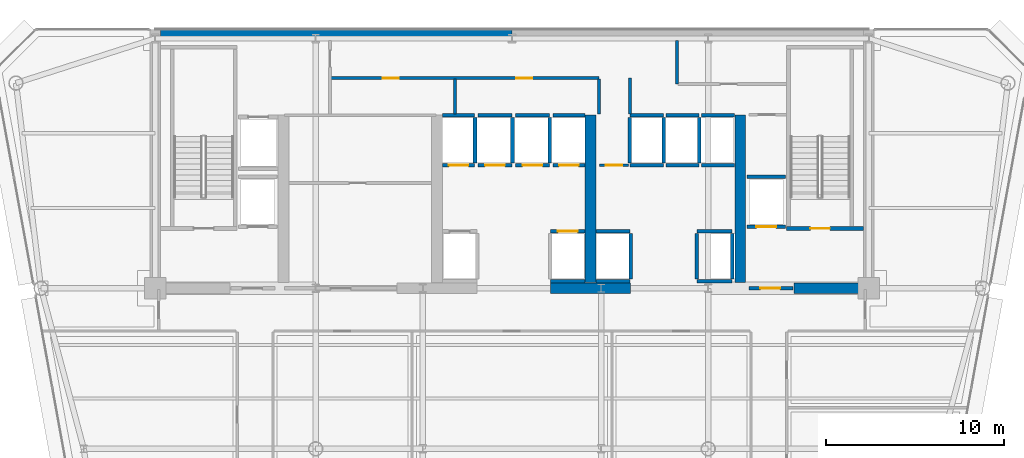
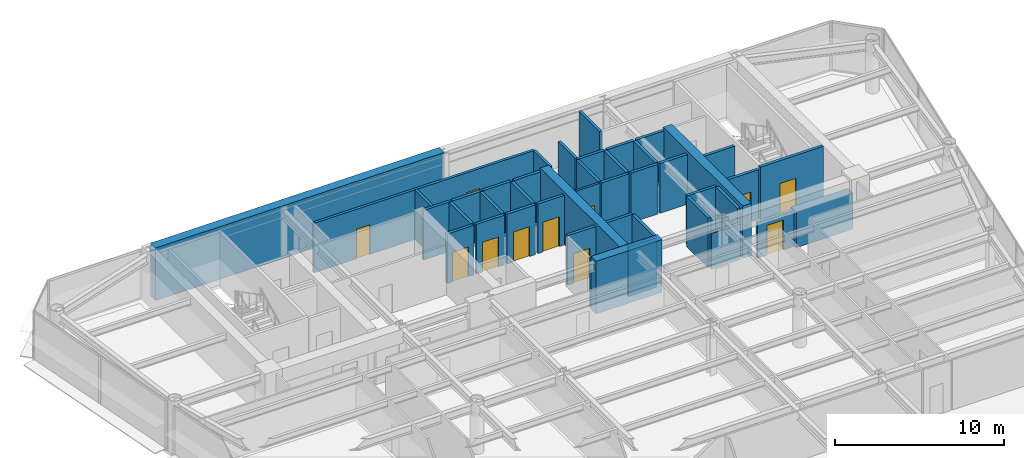
# One storey, part 12 of 17: 44 walls, 11 doors, 11 openings.
"""IFC4 building model written with IfcOpenShell, lengths in metres."""

from ifc_helpers import new_model, si_unit, direction, frame, frame_2d, origin, place, context, subcontext, project, spatial, rectangle, extrude, source, transform, mapped, material, layer, layer_set, type_object, element, fill, save


model = new_model("IFC4")

# Units and contexts
model_context = context("Model", 3, precision=1e-05, world=origin(), true_north=direction((0.0, 1.0)))
body_context = subcontext(model_context, "Body", "Model", "MODEL_VIEW")
ifc_project = project(units=[si_unit("LENGTHUNIT", "METRE"), si_unit("AREAUNIT", "SQUARE_METRE"), si_unit("VOLUMEUNIT", "CUBIC_METRE"), si_unit("PLANEANGLEUNIT", "RADIAN"), si_unit("MASSUNIT", "GRAM", prefix="KILO")], contexts=[model_context])

# Site, building, storey
site_placement = place(None, origin())
site = spatial("IfcSite", under=ifc_project, at=site_placement, CompositionType="ELEMENT")
building_placement = place(site_placement, origin())
building = spatial("IfcBuilding", under=site, at=building_placement, Name="Vaeldorn Concourse Tower", CompositionType="ELEMENT")
storey_placement = place(building_placement, frame((0.0, 0.0, 169.0)))
storey = spatial("IfcBuildingStorey", under=building, at=storey_placement, Name="L43", CompositionType="ELEMENT", Elevation=169.0)

# Walls
ifc_material_1 = material(Name="Concrete C50/60", Category="concrete")
ifc_layer_1 = layer(ifc_material_1, 0.60009765625)
ifc_layer_set_1 = layer_set([ifc_layer_1], Name="Concrete C50/60")
wall_type_1 = type_object("IfcWallType", Name="WL-CORE-600", PredefinedType="SHEAR", material=ifc_layer_set_1)
wall_1_placement = place(storey_placement, frame((14.303955078125, 50.699951171875, 0.0), z_axis=(0.0, 0.0, 1.0), x_axis=(1.0, 0.0, 0.0)))
element("IfcWall", 1, at=wall_1_placement, inside=storey, type_object=wall_type_1, Name="Rear Core Shear Wall L43 N1", PredefinedType="SHEAR", context=body_context, shape_type="SweptSolid", body=[
    extrude(rectangle(XDim=19.694091796875, YDim=0.60009765625, at=frame_2d((9.84716796875, 0.0))), origin(), (0.0, 0.0, 1.0), 3.800048828125),
])
wall_2_placement = place(storey_placement, frame((36.14990234375, 36.5, 0.0), z_axis=(0.0, 0.0, 1.0), x_axis=(1.0, 0.0, 0.0)))
element("IfcWall", 2, at=wall_2_placement, inside=storey, type_object=wall_type_1, Name="Rear Core Shear Wall L43 S3", PredefinedType="SHEAR", context=body_context, shape_type="SweptSolid", body=[
    extrude(rectangle(XDim=4.5, YDim=0.60009765625, at=frame_2d((2.25, 0.0))), origin(), (0.0, 0.0, 1.0), 3.800048828125),
])
wall_3_placement = place(storey_placement, frame((49.800048828125, 36.5, 0.0), z_axis=(0.0, 0.0, 1.0), x_axis=(1.0, 0.0, 0.0)))
element("IfcWall", 3, at=wall_3_placement, inside=storey, type_object=wall_type_1, Name="Rear Core Shear Wall L43 S4", PredefinedType="SHEAR", context=body_context, shape_type="SweptSolid", body=[
    extrude(rectangle(XDim=3.8798828125, YDim=0.60009765625, at=frame_2d((1.93994140625, 0.0))), origin(), (0.0, 0.0, 1.0), 2.580078125),
])
for number, where, z_axis, x_axis, name in (
    (4, (38.39990234375, 36.820068359375, 0.0), (0.0, 0.0, 1.0), (0.0, 1.0, 0.0), "Rear Core Shear Wall L43 M3"),
    (5, (46.800048828125, 36.820068359375, 0.0), (0.0, 0.0, 1.0), (0.0, 1.0, 0.0), "Rear Core Shear Wall L43 M4"),
):
    element("IfcWall", number, at=place(storey_placement, frame(where, z_axis=z_axis, x_axis=x_axis)), inside=storey, type_object=wall_type_1, Name=name, PredefinedType="SHEAR", context=body_context, shape_type="SweptSolid", body=[
        extrude(rectangle(XDim=9.3798828125, YDim=0.60009765625, at=frame_2d((4.68994140625, 0.0))), origin(), (0.0, 0.0, 1.0), 3.800048828125),
    ])

# Wall, opening, door
ifc_material_2 = material(Name="Gypsum Board Partition", Category="gypsum")
ifc_layer_2 = layer(ifc_material_2, 0.14990234375)
ifc_layer_set_2 = layer_set([ifc_layer_2], Name="Gypsum Board Partition")
wall_type_2 = type_object("IfcWallType", Name="WL-PART-150", PredefinedType="PARTITIONING", material=ifc_layer_set_2)
wall_4_placement = place(storey_placement, frame((38.919921875, 43.39990234375, 0.0), z_axis=(0.0, 0.0, 1.0), x_axis=(1.0, 0.0, 0.0)))
wall_4 = element("IfcWall", 6, at=wall_4_placement, inside=storey, type_object=wall_type_2, Name="Interior Wall CW-L43-CCLINK", PredefinedType="PARTITIONING", context=body_context, shape_type="SweptSolid", body=[
    extrude(rectangle(XDim=1.60009765625, YDim=0.14990234375, at=frame_2d((0.800048828125, 0.0))), origin(), (0.0, 0.0, 1.0), 3.580078125),
])
opening_1_placement = place(wall_4_placement, frame((0.35009765625, 0.0, 0.0)))
opening_1 = element("IfcOpeningElement", 7, at=opening_1_placement, cuts=wall_4, Name="Opening D-02", PredefinedType="OPENING", context=body_context, shape_type="SweptSolid", body=[
    extrude(rectangle(XDim=0.89990234375, YDim=2.10009765625, at=frame_2d((0.449951171875, 1.050048828125))), frame((0.0, 0.0849609375, 0.0), z_axis=(0.0, -1.0, 0.0), x_axis=(1.0, 0.0, 0.0)), (0.0, 0.0, 1.0), 0.169921875),
])
ifc_material_3 = material(Name="Fire-Rated Timber Leaf", Category="wood")
door_type_1 = type_object("IfcDoorType", Name="DR-FD30-900", OperationType="NOTDEFINED", PredefinedType="DOOR", material=ifc_material_3)
shared_shape_1 = source(origin(), body_context, "Body", "SweptSolid", [
    extrude(rectangle(XDim=0.89990234375, YDim=2.10009765625, at=frame_2d((0.449951171875, 1.050048828125))), frame((0.0, 0.02490234375, 0.0), z_axis=(0.0, -1.0, 0.0), x_axis=(1.0, 0.0, 0.0)), (0.0, 0.0, 1.0), 0.050048828125),
])
door_1_placement = place(opening_1_placement, origin())
door_1 = element("IfcDoor", 8, at=door_1_placement, inside=storey, type_object=door_type_1, Name="Interior Door DR-L43-CCLINK", OperationType="SINGLE_SWING_LEFT", OverallHeight=2.10009765625, OverallWidth=0.89990234375, PredefinedType="DOOR", context=body_context, shape_type="MappedRepresentation", body=[
    mapped(shared_shape_1, transform((0.0, 0.0, 0.0), scale=1.0)),
])
fill(opening_1, door_1)

# Wall, openings, doors
ifc_layer_3 = layer(ifc_material_2, 0.179931640625)
ifc_layer_set_3 = layer_set([ifc_layer_3], Name="Gypsum Board Partition")
wall_type_3 = type_object("IfcWallType", Name="WL-PLUMB-180", PredefinedType="PLUMBINGWALL", material=ifc_layer_set_3)
wall_5_placement = place(storey_placement, frame((23.85009765625, 48.280029296875, 0.0), z_axis=(0.0, 0.0, 1.0), x_axis=(1.0, 0.0, 0.0)))
wall_5 = element("IfcWall", 9, at=wall_5_placement, inside=storey, type_object=wall_type_3, Name="Interior Wall CW-L43-NS2W", PredefinedType="PLUMBINGWALL", context=body_context, shape_type="SweptSolid", body=[
    extrude(rectangle(XDim=15.02978515625, YDim=0.179931640625, at=frame_2d((7.514892578125, 0.0))), origin(), (0.0, 0.0, 1.0), 3.580078125),
])
opening_2_placement = place(wall_5_placement, frame((2.89990234375, 0.0, 0.0)))
opening_2 = element("IfcOpeningElement", 10, at=opening_2_placement, cuts=wall_5, Name="Opening D-03", PredefinedType="OPENING", context=body_context, shape_type="SweptSolid", body=[
    extrude(rectangle(XDim=0.89990234375, YDim=2.14990234375, at=frame_2d((0.449951171875, 1.074951171875))), frame((0.0, 0.10009765625, 0.0), z_axis=(0.0, -1.0, 0.0), x_axis=(1.0, 0.0, 0.0)), (0.0, 0.0, 1.0), 0.199951171875),
])
opening_3_placement = place(wall_5_placement, frame((10.39990234375, 0.0, 0.0)))
opening_3 = element("IfcOpeningElement", 11, at=opening_3_placement, cuts=wall_5, Name="Opening D-03", PredefinedType="OPENING", context=body_context, shape_type="SweptSolid", body=[
    extrude(rectangle(XDim=0.89990234375, YDim=2.14990234375, at=frame_2d((0.449951171875, 1.074951171875))), frame((0.0, 0.10009765625, 0.0), z_axis=(0.0, -1.0, 0.0), x_axis=(1.0, 0.0, 0.0)), (0.0, 0.0, 1.0), 0.199951171875),
])
ifc_material_4 = material(Name="Acoustic Bronze-Framed Glass Door", Category="glass")
door_type_2 = type_object("IfcDoorType", Name="DR-INT-900", OperationType="NOTDEFINED", PredefinedType="DOOR", material=ifc_material_4)
shared_shape_2 = source(origin(), body_context, "Body", "SweptSolid", [
    extrude(rectangle(XDim=0.89990234375, YDim=2.14990234375, at=frame_2d((0.449951171875, 1.074951171875))), frame((0.0, 0.02490234375, 0.0), z_axis=(0.0, -1.0, 0.0), x_axis=(1.0, 0.0, 0.0)), (0.0, 0.0, 1.0), 0.050048828125),
])
door_2_placement = place(opening_2_placement, origin())
door_2 = element("IfcDoor", 12, at=door_2_placement, inside=storey, type_object=door_type_2, Name="Interior Door DR-L43-CS2", OperationType="SINGLE_SWING_RIGHT", OverallHeight=2.14990234375, OverallWidth=0.89990234375, PredefinedType="DOOR", context=body_context, shape_type="MappedRepresentation", body=[
    mapped(shared_shape_2, transform((0.0, 0.0, 0.0), scale=1.0)),
])
fill(opening_2, door_2)
door_3_placement = place(opening_3_placement, origin())
door_3 = element("IfcDoor", 13, at=door_3_placement, inside=storey, type_object=door_type_2, Name="Interior Door DR-L43-CS3", OperationType="SINGLE_SWING_LEFT", OverallHeight=2.14990234375, OverallWidth=0.89990234375, PredefinedType="DOOR", context=body_context, shape_type="MappedRepresentation", body=[
    mapped(shared_shape_2, transform((0.0, 0.0, 0.0), scale=1.0)),
])
fill(opening_3, door_3)

# Walls
for number, where, z_axis, x_axis, name in (
    (14, (30.800048828125, 46.280029296875, 0.0), (0.0, 0.0, 1.0), (0.0, 1.0, 0.0), "Interior Wall CW-L43-SDIV2"),
    (15, (38.8798828125, 46.280029296875, 0.0), (0.0, 0.0, 1.0), (0.0, 1.0, 0.0), "Interior Wall CW-L43-SDIV4"),
):
    element("IfcWall", number, at=place(storey_placement, frame(where, z_axis=z_axis, x_axis=x_axis)), inside=storey, type_object=wall_type_3, Name=name, PredefinedType="PLUMBINGWALL", context=body_context, shape_type="SweptSolid", body=[
        extrude(rectangle(XDim=1.93994140625, YDim=0.179931640625, at=frame_2d((0.969970703125, 0.0))), origin(), (0.0, 0.0, 1.0), 3.580078125),
    ])
wall_6_placement = place(storey_placement, frame((40.6201171875, 46.280029296875, 0.0), z_axis=(0.0, 0.0, 1.0), x_axis=(0.0, 1.0, 0.0)))
element("IfcWall", 16, at=wall_6_placement, inside=storey, type_object=wall_type_3, Name="Interior Wall CW-L43-SDIV5", PredefinedType="PLUMBINGWALL", context=body_context, shape_type="SweptSolid", body=[
    extrude(rectangle(XDim=2.0, YDim=0.179931640625, at=frame_2d((1.0, 0.0))), origin(), (0.0, 0.0, 1.0), 3.580078125),
])
wall_7_placement = place(storey_placement, frame((43.25, 47.949951171875, 0.0), z_axis=(0.0, 0.0, 1.0), x_axis=(0.0, 1.0, 0.0)))
element("IfcWall", 17, at=wall_7_placement, inside=storey, type_object=wall_type_3, Name="Interior Wall CW-L43-SDIV6", PredefinedType="PLUMBINGWALL", context=body_context, shape_type="SweptSolid", body=[
    extrude(rectangle(XDim=2.429931640625, YDim=0.179931640625, at=frame_2d((1.21484375, 0.0))), origin(), (0.0, 0.0, 1.0), 3.580078125),
])

# Wall, opening, door
ifc_layer_4 = layer(ifc_material_1, 0.199951171875)
ifc_layer_set_4 = layer_set([ifc_layer_4], Name="Concrete C50/60")
wall_type_4 = type_object("IfcWallType", Name="WL-SHAFT-200", PredefinedType="SOLIDWALL", material=ifc_layer_set_4)
wall_8_placement = place(storey_placement, frame((49.39990234375, 39.85009765625, 0.0), z_axis=(0.0, 0.0, 1.0), x_axis=(1.0, 0.0, 0.0)))
wall_8 = element("IfcWall", 18, at=wall_8_placement, inside=storey, type_object=wall_type_4, Name="Stair Shaft Wall CW-L43-ST-2-S", PredefinedType="SOLIDWALL", context=body_context, shape_type="SweptSolid", body=[
    extrude(rectangle(XDim=4.300048828125, YDim=0.199951171875, at=frame_2d((2.14990234375, 0.0))), origin(), (0.0, 0.0, 1.0), 3.800048828125),
])
opening_4_placement = place(wall_8_placement, frame((1.324951171875, 0.0, 0.0)))
opening_4 = element("IfcOpeningElement", 19, at=opening_4_placement, cuts=wall_8, Name="Opening D-01", PredefinedType="OPENING", context=body_context, shape_type="SweptSolid", body=[
    extrude(rectangle(XDim=1.10009765625, YDim=2.14990234375, at=frame_2d((0.550048828125, 1.074951171875))), frame((0.0, 0.10986328125, 0.0), z_axis=(0.0, -1.0, 0.0), x_axis=(1.0, 0.0, 0.0)), (0.0, 0.0, 1.0), 0.219970703125),
])
ifc_material_5 = material(Name="Fire-Rated Timber and Steel Leaf", Category="steel")
door_type_3 = type_object("IfcDoorType", Name="DR-FD60-1100", OperationType="NOTDEFINED", PredefinedType="DOOR", material=ifc_material_5)
shared_shape_3 = source(origin(), body_context, "Body", "SweptSolid", [
    extrude(rectangle(XDim=1.10009765625, YDim=2.14990234375, at=frame_2d((0.550048828125, 1.074951171875))), frame((0.0, 0.02490234375, 0.0), z_axis=(0.0, -1.0, 0.0), x_axis=(1.0, 0.0, 0.0)), (0.0, 0.0, 1.0), 0.050048828125),
])
door_4_placement = place(opening_4_placement, origin())
door_4 = element("IfcDoor", 20, at=door_4_placement, inside=storey, type_object=door_type_3, Name="Interior Door DR-L43-ST-2", OperationType="SINGLE_SWING_RIGHT", OverallHeight=2.14990234375, OverallWidth=1.10009765625, PredefinedType="DOOR", context=body_context, shape_type="MappedRepresentation", body=[
    mapped(shared_shape_3, transform((0.0, 0.0, 0.0), scale=1.0)),
])
fill(opening_4, door_4)

wall_9_placement = place(storey_placement, frame((47.280029296875, 36.5, 0.0), z_axis=(0.0, 0.0, 1.0), x_axis=(1.0, 0.0, 0.0)))
wall_9 = element("IfcWall", 21, at=wall_9_placement, inside=storey, type_object=wall_type_4, Name="Interior Wall CW-L43-FF2S", PredefinedType="SOLIDWALL", context=body_context, shape_type="SweptSolid", body=[
    extrude(rectangle(XDim=2.469970703125, YDim=0.199951171875, at=frame_2d((1.23486328125, 0.0))), origin(), (0.0, 0.0, 1.0), 2.570068359375),
])
opening_5_placement = place(wall_9_placement, frame((0.64990234375, 0.0, 0.0)))
opening_5 = element("IfcOpeningElement", 22, at=opening_5_placement, cuts=wall_9, Name="Opening D-01", PredefinedType="OPENING", context=body_context, shape_type="SweptSolid", body=[
    extrude(rectangle(XDim=1.10009765625, YDim=2.14990234375, at=frame_2d((0.550048828125, 1.074951171875))), frame((0.0, 0.10986328125, 0.0), z_axis=(0.0, -1.0, 0.0), x_axis=(1.0, 0.0, 0.0)), (0.0, 0.0, 1.0), 0.219970703125),
])
door_5_placement = place(opening_5_placement, origin())
door_5 = element("IfcDoor", 23, at=door_5_placement, inside=storey, type_object=door_type_3, Name="Interior Door DR-L43-FF2W", OperationType="SINGLE_SWING_LEFT", OverallHeight=2.14990234375, OverallWidth=1.10009765625, PredefinedType="DOOR", context=body_context, shape_type="MappedRepresentation", body=[
    mapped(shared_shape_3, transform((0.0, 0.0, 0.0), scale=1.0)),
])
fill(opening_5, door_5)

wall_10_placement = place(storey_placement, frame((36.169921875, 39.699951171875, 0.0), z_axis=(0.0, 0.0, 1.0), x_axis=(1.0, 0.0, 0.0)))
wall_10 = element("IfcWall", 24, at=wall_10_placement, inside=storey, type_object=wall_type_4, Name="Interior Wall CW-L43-LF-LF-08", PredefinedType="SOLIDWALL", context=body_context, shape_type="SweptSolid", body=[
    extrude(rectangle(XDim=1.920166015625, YDim=0.199951171875, at=frame_2d((0.9599609375, 0.0))), origin(), (0.0, 0.0, 1.0), 3.580078125),
])
opening_6_placement = place(wall_10_placement, frame((0.409912109375, 0.0, 0.0)))
opening_6 = element("IfcOpeningElement", 25, at=opening_6_placement, cuts=wall_10, Name="Opening LD-1", PredefinedType="OPENING", context=body_context, shape_type="SweptSolid", body=[
    extrude(rectangle(XDim=1.10009765625, YDim=2.14990234375, at=frame_2d((0.550048828125, 1.074951171875))), frame((0.0, 0.10986328125, 0.0), z_axis=(0.0, -1.0, 0.0), x_axis=(1.0, 0.0, 0.0)), (0.0, 0.0, 1.0), 0.219970703125),
])
ifc_material_6 = material(Name="Anodised Bronze Aluminium", Category="aluminium")
door_type_4 = type_object("IfcDoorType", Name="DR-LIFT-SLIDE-1100", OperationType="DOUBLE_DOOR_SLIDING", PredefinedType="DOOR", material=ifc_material_6)
door_6_placement = place(opening_6_placement, origin())
door_6 = element("IfcDoor", 26, at=door_6_placement, inside=storey, type_object=door_type_4, Name="Lift Landing Door LD-L43-LF-08", OperationType="DOUBLE_DOOR_SLIDING", OverallHeight=2.14990234375, OverallWidth=1.10009765625, PredefinedType="DOOR", context=body_context, shape_type="MappedRepresentation", body=[
    mapped(shared_shape_3, transform((0.0, 0.0, 0.0), scale=1.0)),
])
fill(opening_6, door_6)

# Wall
wall_11_placement = place(storey_placement, frame((36.169921875, 36.89990234375, 0.0), z_axis=(0.0, 0.0, 1.0), x_axis=(1.0, 0.0, 0.0)))
element("IfcWall", 27, at=wall_11_placement, inside=storey, type_object=wall_type_4, Name="Interior Wall CW-L43-LFB-LF-08", PredefinedType="SOLIDWALL", context=body_context, shape_type="SweptSolid", body=[
    extrude(rectangle(XDim=1.920166015625, YDim=0.199951171875, at=frame_2d((0.9599609375, 0.0))), origin(), (0.0, 0.0, 1.0), 3.580078125),
])

# Wall, opening, door
wall_12_placement = place(storey_placement, frame((30.110107421875, 43.39990234375, 0.0), z_axis=(0.0, 0.0, 1.0), x_axis=(1.0, 0.0, 0.0)))
wall_12 = element("IfcWall", 28, at=wall_12_placement, inside=storey, type_object=wall_type_4, Name="Interior Wall CW-L43-LF-LF-09", PredefinedType="SOLIDWALL", context=body_context, shape_type="SweptSolid", body=[
    extrude(rectangle(XDim=1.7998046875, YDim=0.199951171875, at=frame_2d((0.89990234375, 0.0))), origin(), (0.0, 0.0, 1.0), 3.580078125),
])
opening_7_placement = place(wall_12_placement, frame((0.35009765625, 0.0, 0.0)))
opening_7 = element("IfcOpeningElement", 29, at=opening_7_placement, cuts=wall_12, Name="Opening LD-1", PredefinedType="OPENING", context=body_context, shape_type="SweptSolid", body=[
    extrude(rectangle(XDim=1.10009765625, YDim=2.14990234375, at=frame_2d((0.550048828125, 1.074951171875))), frame((0.0, 0.10986328125, 0.0), z_axis=(0.0, -1.0, 0.0), x_axis=(1.0, 0.0, 0.0)), (0.0, 0.0, 1.0), 0.219970703125),
])
door_7_placement = place(opening_7_placement, origin())
door_7 = element("IfcDoor", 30, at=door_7_placement, inside=storey, type_object=door_type_4, Name="Lift Landing Door LD-L43-LF-09", OperationType="DOUBLE_DOOR_SLIDING", OverallHeight=2.14990234375, OverallWidth=1.10009765625, PredefinedType="DOOR", context=body_context, shape_type="MappedRepresentation", body=[
    mapped(shared_shape_3, transform((0.0, 0.0, 0.0), scale=1.0)),
])
fill(opening_7, door_7)

# Walls
wall_13_placement = place(storey_placement, frame((30.110107421875, 46.199951171875, 0.0), z_axis=(0.0, 0.0, 1.0), x_axis=(1.0, 0.0, 0.0)))
element("IfcWall", 31, at=wall_13_placement, inside=storey, type_object=wall_type_4, Name="Interior Wall CW-L43-LFB-LF-09", PredefinedType="SOLIDWALL", context=body_context, shape_type="SweptSolid", body=[
    extrude(rectangle(XDim=1.7998046875, YDim=0.199951171875, at=frame_2d((0.89990234375, 0.0))), origin(), (0.0, 0.0, 1.0), 3.580078125),
])
wall_14_placement = place(storey_placement, frame((31.929931640625, 43.52001953125, 0.0), z_axis=(0.0, 0.0, 1.0), x_axis=(0.0, 1.0, 0.0)))
element("IfcWall", 32, at=wall_14_placement, inside=storey, type_object=wall_type_4, Name="Interior Wall CW-L43-LFE-LF-09", PredefinedType="SOLIDWALL", context=body_context, shape_type="SweptSolid", body=[
    extrude(rectangle(XDim=2.56005859375, YDim=0.199951171875, at=frame_2d((1.280029296875, 0.0))), origin(), (0.0, 0.0, 1.0), 3.580078125),
])

# Wall, opening, door
wall_15_placement = place(storey_placement, frame((32.090087890625, 43.39990234375, 0.0), z_axis=(0.0, 0.0, 1.0), x_axis=(1.0, 0.0, 0.0)))
wall_15 = element("IfcWall", 33, at=wall_15_placement, inside=storey, type_object=wall_type_4, Name="Interior Wall CW-L43-LF-LF-10", PredefinedType="SOLIDWALL", context=body_context, shape_type="SweptSolid", body=[
    extrude(rectangle(XDim=1.919921875, YDim=0.199951171875, at=frame_2d((0.9599609375, 0.0))), origin(), (0.0, 0.0, 1.0), 3.580078125),
])
opening_8_placement = place(wall_15_placement, frame((0.409912109375, 0.0, 0.0)))
opening_8 = element("IfcOpeningElement", 34, at=opening_8_placement, cuts=wall_15, Name="Opening LD-1", PredefinedType="OPENING", context=body_context, shape_type="SweptSolid", body=[
    extrude(rectangle(XDim=1.10009765625, YDim=2.14990234375, at=frame_2d((0.550048828125, 1.074951171875))), frame((0.0, 0.10986328125, 0.0), z_axis=(0.0, -1.0, 0.0), x_axis=(1.0, 0.0, 0.0)), (0.0, 0.0, 1.0), 0.219970703125),
])
door_8_placement = place(opening_8_placement, origin())
door_8 = element("IfcDoor", 35, at=door_8_placement, inside=storey, type_object=door_type_4, Name="Lift Landing Door LD-L43-LF-10", OperationType="DOUBLE_DOOR_SLIDING", OverallHeight=2.14990234375, OverallWidth=1.10009765625, PredefinedType="DOOR", context=body_context, shape_type="MappedRepresentation", body=[
    mapped(shared_shape_3, transform((0.0, 0.0, 0.0), scale=1.0)),
])
fill(opening_8, door_8)

# Walls
wall_16_placement = place(storey_placement, frame((32.090087890625, 46.199951171875, 0.0), z_axis=(0.0, 0.0, 1.0), x_axis=(1.0, 0.0, 0.0)))
element("IfcWall", 36, at=wall_16_placement, inside=storey, type_object=wall_type_4, Name="Interior Wall CW-L43-LFB-LF-10", PredefinedType="SOLIDWALL", context=body_context, shape_type="SweptSolid", body=[
    extrude(rectangle(XDim=1.919921875, YDim=0.199951171875, at=frame_2d((0.9599609375, 0.0))), origin(), (0.0, 0.0, 1.0), 3.580078125),
])
wall_17_placement = place(storey_placement, frame((34.030029296875, 43.52001953125, 0.0), z_axis=(0.0, 0.0, 1.0), x_axis=(0.0, 1.0, 0.0)))
element("IfcWall", 37, at=wall_17_placement, inside=storey, type_object=wall_type_4, Name="Interior Wall CW-L43-LFE-LF-10", PredefinedType="SOLIDWALL", context=body_context, shape_type="SweptSolid", body=[
    extrude(rectangle(XDim=2.56005859375, YDim=0.199951171875, at=frame_2d((1.280029296875, 0.0))), origin(), (0.0, 0.0, 1.0), 3.580078125),
])

# Wall, opening, door
wall_18_placement = place(storey_placement, frame((34.18994140625, 43.39990234375, 0.0), z_axis=(0.0, 0.0, 1.0), x_axis=(1.0, 0.0, 0.0)))
wall_18 = element("IfcWall", 38, at=wall_18_placement, inside=storey, type_object=wall_type_4, Name="Interior Wall CW-L43-LF-LF-11", PredefinedType="SOLIDWALL", context=body_context, shape_type="SweptSolid", body=[
    extrude(rectangle(XDim=1.920166015625, YDim=0.199951171875, at=frame_2d((0.9599609375, 0.0))), origin(), (0.0, 0.0, 1.0), 3.580078125),
])
opening_9_placement = place(wall_18_placement, frame((0.409912109375, 0.0, 0.0)))
opening_9 = element("IfcOpeningElement", 39, at=opening_9_placement, cuts=wall_18, Name="Opening LD-1", PredefinedType="OPENING", context=body_context, shape_type="SweptSolid", body=[
    extrude(rectangle(XDim=1.10009765625, YDim=2.14990234375, at=frame_2d((0.550048828125, 1.074951171875))), frame((0.0, 0.10986328125, 0.0), z_axis=(0.0, -1.0, 0.0), x_axis=(1.0, 0.0, 0.0)), (0.0, 0.0, 1.0), 0.219970703125),
])
door_9_placement = place(opening_9_placement, origin())
door_9 = element("IfcDoor", 40, at=door_9_placement, inside=storey, type_object=door_type_4, Name="Lift Landing Door LD-L43-LF-11", OperationType="DOUBLE_DOOR_SLIDING", OverallHeight=2.14990234375, OverallWidth=1.10009765625, PredefinedType="DOOR", context=body_context, shape_type="MappedRepresentation", body=[
    mapped(shared_shape_3, transform((0.0, 0.0, 0.0), scale=1.0)),
])
fill(opening_9, door_9)

# Walls
wall_19_placement = place(storey_placement, frame((34.18994140625, 46.199951171875, 0.0), z_axis=(0.0, 0.0, 1.0), x_axis=(1.0, 0.0, 0.0)))
element("IfcWall", 41, at=wall_19_placement, inside=storey, type_object=wall_type_4, Name="Interior Wall CW-L43-LFB-LF-11", PredefinedType="SOLIDWALL", context=body_context, shape_type="SweptSolid", body=[
    extrude(rectangle(XDim=1.920166015625, YDim=0.199951171875, at=frame_2d((0.9599609375, 0.0))), origin(), (0.0, 0.0, 1.0), 3.580078125),
])
wall_20_placement = place(storey_placement, frame((36.1298828125, 43.52001953125, 0.0), z_axis=(0.0, 0.0, 1.0), x_axis=(0.0, 1.0, 0.0)))
element("IfcWall", 42, at=wall_20_placement, inside=storey, type_object=wall_type_4, Name="Interior Wall CW-L43-LFE-LF-11", PredefinedType="SOLIDWALL", context=body_context, shape_type="SweptSolid", body=[
    extrude(rectangle(XDim=2.56005859375, YDim=0.199951171875, at=frame_2d((1.280029296875, 0.0))), origin(), (0.0, 0.0, 1.0), 3.580078125),
])

# Wall, opening, door
wall_21_placement = place(storey_placement, frame((36.2900390625, 43.39990234375, 0.0), z_axis=(0.0, 0.0, 1.0), x_axis=(1.0, 0.0, 0.0)))
wall_21 = element("IfcWall", 43, at=wall_21_placement, inside=storey, type_object=wall_type_4, Name="Interior Wall CW-L43-LF-LF-12", PredefinedType="SOLIDWALL", context=body_context, shape_type="SweptSolid", body=[
    extrude(rectangle(XDim=1.800048828125, YDim=0.199951171875, at=frame_2d((0.89990234375, 0.0))), origin(), (0.0, 0.0, 1.0), 3.580078125),
])
opening_10_placement = place(wall_21_placement, frame((0.35009765625, 0.0, 0.0)))
opening_10 = element("IfcOpeningElement", 44, at=opening_10_placement, cuts=wall_21, Name="Opening LD-1", PredefinedType="OPENING", context=body_context, shape_type="SweptSolid", body=[
    extrude(rectangle(XDim=1.10009765625, YDim=2.14990234375, at=frame_2d((0.550048828125, 1.074951171875))), frame((0.0, 0.10986328125, 0.0), z_axis=(0.0, -1.0, 0.0), x_axis=(1.0, 0.0, 0.0)), (0.0, 0.0, 1.0), 0.219970703125),
])
door_10_placement = place(opening_10_placement, origin())
door_10 = element("IfcDoor", 45, at=door_10_placement, inside=storey, type_object=door_type_4, Name="Lift Landing Door LD-L43-LF-12", OperationType="DOUBLE_DOOR_SLIDING", OverallHeight=2.14990234375, OverallWidth=1.10009765625, PredefinedType="DOOR", context=body_context, shape_type="MappedRepresentation", body=[
    mapped(shared_shape_3, transform((0.0, 0.0, 0.0), scale=1.0)),
])
fill(opening_10, door_10)

# Walls
wall_22_placement = place(storey_placement, frame((36.2900390625, 46.199951171875, 0.0), z_axis=(0.0, 0.0, 1.0), x_axis=(1.0, 0.0, 0.0)))
element("IfcWall", 46, at=wall_22_placement, inside=storey, type_object=wall_type_4, Name="Interior Wall CW-L43-LFB-LF-12", PredefinedType="SOLIDWALL", context=body_context, shape_type="SweptSolid", body=[
    extrude(rectangle(XDim=1.800048828125, YDim=0.199951171875, at=frame_2d((0.89990234375, 0.0))), origin(), (0.0, 0.0, 1.0), 3.580078125),
])
for number, where, z_axis, x_axis, name in (
    (47, (38.7099609375, 39.699951171875, 0.0), (0.0, 0.0, 1.0), (1.0, 0.0, 0.0), "Interior Wall CW-L43-LF-LF-13"),
    (48, (38.7099609375, 36.89990234375, 0.0), (0.0, 0.0, 1.0), (1.0, 0.0, 0.0), "Interior Wall CW-L43-LFB-LF-13"),
):
    element("IfcWall", number, at=place(storey_placement, frame(where, z_axis=z_axis, x_axis=x_axis)), inside=storey, type_object=wall_type_4, Name=name, PredefinedType="SOLIDWALL", context=body_context, shape_type="SweptSolid", body=[
        extrude(rectangle(XDim=1.919921875, YDim=0.199951171875, at=frame_2d((0.9599609375, 0.0))), origin(), (0.0, 0.0, 1.0), 3.580078125),
    ])
wall_23_placement = place(storey_placement, frame((40.64990234375, 37.02001953125, 0.0), z_axis=(0.0, 0.0, 1.0), x_axis=(0.0, 1.0, 0.0)))
element("IfcWall", 49, at=wall_23_placement, inside=storey, type_object=wall_type_4, Name="Interior Wall CW-L43-LFE-LF-13", PredefinedType="SOLIDWALL", context=body_context, shape_type="SweptSolid", body=[
    extrude(rectangle(XDim=2.56005859375, YDim=0.199951171875, at=frame_2d((1.280029296875, 0.0))), origin(), (0.0, 0.0, 1.0), 3.580078125),
])
wall_24_placement = place(storey_placement, frame((44.3701171875, 39.699951171875, 0.0), z_axis=(0.0, 0.0, 1.0), x_axis=(1.0, 0.0, 0.0)))
element("IfcWall", 50, at=wall_24_placement, inside=storey, type_object=wall_type_4, Name="Interior Wall CW-L43-LF-LF-14", PredefinedType="SOLIDWALL", context=body_context, shape_type="SweptSolid", body=[
    extrude(rectangle(XDim=1.9599609375, YDim=0.199951171875, at=frame_2d((0.97998046875, 0.0))), origin(), (0.0, 0.0, 1.0), 3.580078125),
])
wall_25_placement = place(storey_placement, frame((44.3701171875, 36.89990234375, 0.0), z_axis=(0.0, 0.0, 1.0), x_axis=(1.0, 0.0, 0.0)))
element("IfcWall", 51, at=wall_25_placement, inside=storey, type_object=wall_type_4, Name="Interior Wall CW-L43-LFB-LF-14", PredefinedType="SOLIDWALL", context=body_context, shape_type="SweptSolid", body=[
    extrude(rectangle(XDim=1.9599609375, YDim=0.199951171875, at=frame_2d((0.97998046875, 0.0))), origin(), (0.0, 0.0, 1.0), 2.570068359375),
])
for number, where, z_axis, x_axis, name in (
    (52, (44.35009765625, 37.02001953125, 0.0), (0.0, 0.0, 1.0), (0.0, 1.0, 0.0), "Interior Wall CW-L43-LFW-LF-14"),
    (53, (46.35009765625, 37.02001953125, 0.0), (0.0, 0.0, 1.0), (0.0, 1.0, 0.0), "Interior Wall CW-L43-LFE-LF-14"),
):
    element("IfcWall", number, at=place(storey_placement, frame(where, z_axis=z_axis, x_axis=x_axis)), inside=storey, type_object=wall_type_4, Name=name, PredefinedType="SOLIDWALL", context=body_context, shape_type="SweptSolid", body=[
        extrude(rectangle(XDim=2.56005859375, YDim=0.199951171875, at=frame_2d((1.280029296875, 0.0))), origin(), (0.0, 0.0, 1.0), 3.580078125),
    ])
for number, where, z_axis, x_axis, name in (
    (54, (40.6201171875, 43.39990234375, 0.0), (0.0, 0.0, 1.0), (1.0, 0.0, 0.0), "Interior Wall CW-L43-LF-LF-15"),
    (55, (40.6201171875, 46.199951171875, 0.0), (0.0, 0.0, 1.0), (1.0, 0.0, 0.0), "Interior Wall CW-L43-LFB-LF-15"),
):
    element("IfcWall", number, at=place(storey_placement, frame(where, z_axis=z_axis, x_axis=x_axis)), inside=storey, type_object=wall_type_4, Name=name, PredefinedType="SOLIDWALL", context=body_context, shape_type="SweptSolid", body=[
        extrude(rectangle(XDim=1.85986328125, YDim=0.199951171875, at=frame_2d((0.929931640625, 0.0))), origin(), (0.0, 0.0, 1.0), 3.580078125),
    ])
for number, where, z_axis, x_axis, name in (
    (56, (40.60009765625, 43.52001953125, 0.0), (0.0, 0.0, 1.0), (0.0, 1.0, 0.0), "Interior Wall CW-L43-LFW-LF-15"),
    (57, (42.5, 43.52001953125, 0.0), (0.0, 0.0, 1.0), (0.0, 1.0, 0.0), "Interior Wall CW-L43-LFE-LF-15"),
):
    element("IfcWall", number, at=place(storey_placement, frame(where, z_axis=z_axis, x_axis=x_axis)), inside=storey, type_object=wall_type_4, Name=name, PredefinedType="SOLIDWALL", context=body_context, shape_type="SweptSolid", body=[
        extrude(rectangle(XDim=2.56005859375, YDim=0.199951171875, at=frame_2d((1.280029296875, 0.0))), origin(), (0.0, 0.0, 1.0), 3.580078125),
    ])
for number, where, z_axis, x_axis, name in (
    (58, (42.6201171875, 43.39990234375, 0.0), (0.0, 0.0, 1.0), (1.0, 0.0, 0.0), "Interior Wall CW-L43-LF-LF-16"),
    (59, (42.6201171875, 46.199951171875, 0.0), (0.0, 0.0, 1.0), (1.0, 0.0, 0.0), "Interior Wall CW-L43-LFB-LF-16"),
):
    element("IfcWall", number, at=place(storey_placement, frame(where, z_axis=z_axis, x_axis=x_axis)), inside=storey, type_object=wall_type_4, Name=name, PredefinedType="SOLIDWALL", context=body_context, shape_type="SweptSolid", body=[
        extrude(rectangle(XDim=1.85986328125, YDim=0.199951171875, at=frame_2d((0.929931640625, 0.0))), origin(), (0.0, 0.0, 1.0), 3.580078125),
    ])
wall_26_placement = place(storey_placement, frame((44.5, 43.52001953125, 0.0), z_axis=(0.0, 0.0, 1.0), x_axis=(0.0, 1.0, 0.0)))
element("IfcWall", 60, at=wall_26_placement, inside=storey, type_object=wall_type_4, Name="Interior Wall CW-L43-LFE-LF-16", PredefinedType="SOLIDWALL", context=body_context, shape_type="SweptSolid", body=[
    extrude(rectangle(XDim=2.56005859375, YDim=0.199951171875, at=frame_2d((1.280029296875, 0.0))), origin(), (0.0, 0.0, 1.0), 3.580078125),
])
for number, where, z_axis, x_axis, name in (
    (61, (44.6201171875, 43.39990234375, 0.0), (0.0, 0.0, 1.0), (1.0, 0.0, 0.0), "Interior Wall CW-L43-LF-LF-17"),
    (62, (44.6201171875, 46.199951171875, 0.0), (0.0, 0.0, 1.0), (1.0, 0.0, 0.0), "Interior Wall CW-L43-LFB-LF-17"),
):
    element("IfcWall", number, at=place(storey_placement, frame(where, z_axis=z_axis, x_axis=x_axis)), inside=storey, type_object=wall_type_4, Name=name, PredefinedType="SOLIDWALL", context=body_context, shape_type="SweptSolid", body=[
        extrude(rectangle(XDim=1.85986328125, YDim=0.199951171875, at=frame_2d((0.929931640625, 0.0))), origin(), (0.0, 0.0, 1.0), 3.580078125),
    ])

# Wall, opening, door
wall_27_placement = place(storey_placement, frame((47.169921875, 39.949951171875, 0.0), z_axis=(0.0, 0.0, 1.0), x_axis=(1.0, 0.0, 0.0)))
wall_27 = element("IfcWall", 63, at=wall_27_placement, inside=storey, type_object=wall_type_4, Name="Interior Wall CW-L43-LF-LF-FF2", PredefinedType="SOLIDWALL", context=body_context, shape_type="SweptSolid", body=[
    extrude(rectangle(XDim=2.16015625, YDim=0.199951171875, at=frame_2d((1.080078125, 0.0))), origin(), (0.0, 0.0, 1.0), 3.580078125),
])
opening_11_placement = place(wall_27_placement, frame((0.530029296875, 0.0, 0.0)))
opening_11 = element("IfcOpeningElement", 64, at=opening_11_placement, cuts=wall_27, Name="Opening LD-1", PredefinedType="OPENING", context=body_context, shape_type="SweptSolid", body=[
    extrude(rectangle(XDim=1.10009765625, YDim=2.14990234375, at=frame_2d((0.550048828125, 1.074951171875))), frame((0.0, 0.10986328125, 0.0), z_axis=(0.0, -1.0, 0.0), x_axis=(1.0, 0.0, 0.0)), (0.0, 0.0, 1.0), 0.219970703125),
])
door_11_placement = place(opening_11_placement, origin())
door_11 = element("IfcDoor", 65, at=door_11_placement, inside=storey, type_object=door_type_4, Name="Lift Landing Door LD-L43-LF-FF2", OperationType="DOUBLE_DOOR_SLIDING", OverallHeight=2.14990234375, OverallWidth=1.10009765625, PredefinedType="DOOR", context=body_context, shape_type="MappedRepresentation", body=[
    mapped(shared_shape_3, transform((0.0, 0.0, 0.0), scale=1.0)),
])
fill(opening_11, door_11)

# Wall
wall_28_placement = place(storey_placement, frame((47.169921875, 42.75, 0.0), z_axis=(0.0, 0.0, 1.0), x_axis=(1.0, 0.0, 0.0)))
element("IfcWall", 66, at=wall_28_placement, inside=storey, type_object=wall_type_4, Name="Interior Wall CW-L43-LFB-LF-FF2", PredefinedType="SOLIDWALL", context=body_context, shape_type="SweptSolid", body=[
    extrude(rectangle(XDim=2.16015625, YDim=0.199951171875, at=frame_2d((1.080078125, 0.0))), origin(), (0.0, 0.0, 1.0), 3.580078125),
])

save(model, "model.ifc")
